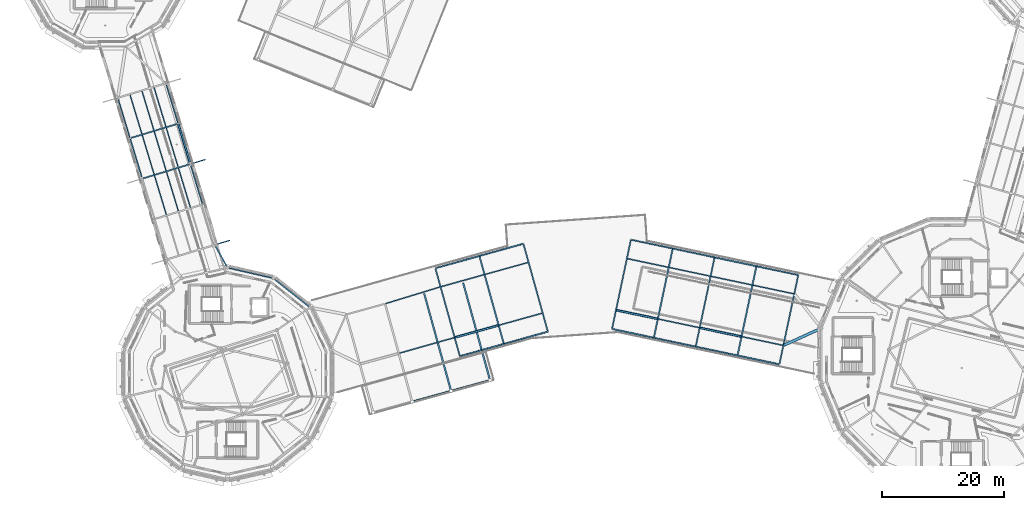
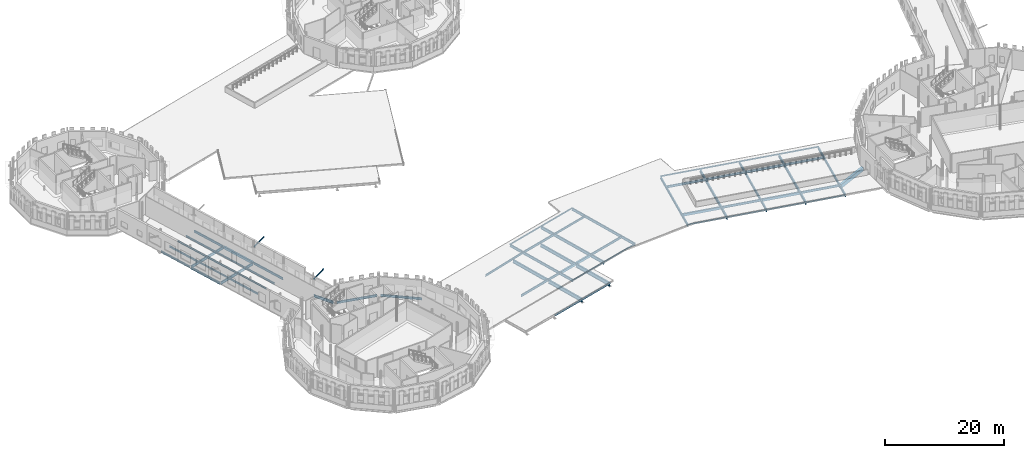
# One storey, part 25 of 90: 60 beams, 2 members.
"""IFC4 building model written with IfcOpenShell, lengths in metres."""

from ifc_helpers import new_model, si_unit, direction, frame, origin, origin_2d, place, context, subcontext, project, spatial, rectangle, hollow_rectangle, i_section, extrude, material, material_profile, profile_set, type_object, element, save


model = new_model("IFC4")

# Units and contexts
model_context = context("Model", 3, precision=1e-05, world=origin(), true_north=direction((0.0, 1.0)))
body_context = subcontext(model_context, "Body", "Model", "MODEL_VIEW")
ifc_project = project(units=[si_unit("LENGTHUNIT", "METRE"), si_unit("AREAUNIT", "SQUARE_METRE"), si_unit("VOLUMEUNIT", "CUBIC_METRE"), si_unit("PLANEANGLEUNIT", "RADIAN"), si_unit("MASSUNIT", "GRAM", prefix="KILO")], contexts=[model_context])

# Site, building, storey
site_placement = place(None, origin())
site = spatial("IfcSite", under=ifc_project, at=site_placement, CompositionType="ELEMENT")
building_placement = place(site_placement, origin())
building = spatial("IfcBuilding", under=site, at=building_placement, Name="Wrenclough Park School", CompositionType="ELEMENT")
storey_placement = place(building_placement, frame((0.0, 0.0, 8.39990234375)))
storey = spatial("IfcBuildingStorey", under=building, at=storey_placement, Name="L02", CompositionType="ELEMENT", Elevation=8.39990234375)

# Beams
ifc_material_1 = material(Name="Concrete C32/40", Category="concrete")
ifc_material_profile_1 = material_profile(ifc_material_1, rectangle(XDim=0.300048828125, YDim=0.5, at=origin_2d()), Name="RC BEAM 300x500")
ifc_profile_set_1 = profile_set([ifc_material_profile_1], Name="Concrete C32/40")
beam_type_1 = type_object("IfcBeamType", Name="STR-BM-RC300", PredefinedType="BEAM", material=ifc_profile_set_1)
beam_1_placement = place(storey_placement, frame((73.68701171875, 29.384521484375, -0.474853515625), z_axis=(0.963409423215, 0.268034108389, 0.0), x_axis=(-0.268034108389, 0.963409423215, 0.0)))
element("IfcBeam", 1, at=beam_1_placement, inside=storey, type_object=beam_type_1, Name="W12 L02 longitudinal edge beam R3", PredefinedType="BEAM", context=body_context, shape_type="SweptSolid", body=[
    extrude(rectangle(XDim=0.300048828125, YDim=0.5, at=origin_2d()), origin(), (0.0, 0.0, 1.0), 7.259521484375),
])
beam_2_placement = place(storey_placement, frame((100.04248046875, 33.82763671875, -0.474853515625), z_axis=(0.978380664714, -0.206812173029, 0.0), x_axis=(0.206812173029, 0.978380664714, 0.0)))
element("IfcBeam", 2, at=beam_2_placement, inside=storey, type_object=beam_type_1, Name="W12 L02 longitudinal edge beam R1", PredefinedType="BEAM", context=body_context, shape_type="SweptSolid", body=[
    extrude(rectangle(XDim=0.300048828125, YDim=0.5, at=origin_2d()), origin(), (0.0, 0.0, 1.0), 6.783203125),
])
beam_3_placement = place(storey_placement, frame((113.708984375, 30.938720703125, -0.474853515625), z_axis=(0.978382204073, -0.206804890546, 0.0), x_axis=(0.206804890546, 0.978382204073, 0.0)))
element("IfcBeam", 3, at=beam_3_placement, inside=storey, type_object=beam_type_1, Name="W12 L02 longitudinal edge beam R3", PredefinedType="BEAM", context=body_context, shape_type="SweptSolid", body=[
    extrude(rectangle(XDim=0.300048828125, YDim=0.5, at=origin_2d()), origin(), (0.0, 0.0, 1.0), 6.783447265625),
])
beam_4_placement = place(storey_placement, frame((30.39453125, 57.785400390625, -0.489990234375), z_axis=(-0.290016504178, 0.957021644115, 0.0), x_axis=(-0.957021644115, -0.290016504178, 0.0)))
element("IfcBeam", 4, at=beam_4_placement, inside=storey, type_object=beam_type_1, Name="W23 L02 longitudinal edge beam R3", PredefinedType="BEAM", context=body_context, shape_type="SweptSolid", body=[
    extrude(rectangle(XDim=0.300048828125, YDim=0.5, at=origin_2d()), origin(), (0.0, 0.0, 1.0), 6.695068359375),
])
ifc_material_2 = material(Name="Concrete C40/50", Category="concrete")
ifc_material_profile_2 = material_profile(ifc_material_2, rectangle(XDim=0.449951171875, YDim=0.800048828125, at=origin_2d()), Name="RC BEAM 450x800")
ifc_profile_set_2 = profile_set([ifc_material_profile_2], Name="Concrete C40/50")
beam_type_2 = type_object("IfcBeamType", Name="STR-BM-RC450", PredefinedType="BEAM", material=ifc_profile_set_2)
beam_5_placement = place(storey_placement, frame((127.369140625, 28.1123046875, -0.724853515625), z_axis=(0.910972239758, 0.41246766951, 0.0), x_axis=(-0.41246766951, 0.910972239758, 0.0)))
element("IfcBeam", 5, at=beam_5_placement, inside=storey, type_object=beam_type_2, Name="W12 L02 drum junction tie beam 8", PredefinedType="BEAM", context=body_context, shape_type="SweptSolid", body=[
    extrude(rectangle(XDim=0.449951171875, YDim=0.800048828125, at=origin_2d()), origin(), (0.0, 0.0, 1.0), 6.421630859375),
])
ifc_material_3 = material(Name="Structural steel S355", Category="steel")
ifc_material_profile_3 = material_profile(ifc_material_3, hollow_rectangle(XDim=0.14990234375, YDim=0.25, WallThickness=0.010009765625, InnerFilletRadius=0.010009765625, OuterFilletRadius=0.014892578125, at=origin_2d()), Name="RHS 250x150x10.0")
ifc_profile_set_3 = profile_set([ifc_material_profile_3], Name="Structural steel S355")
beam_type_3 = type_object("IfcBeamType", Name="STR-BM-RHS250", PredefinedType="SPANDREL", material=ifc_profile_set_3)
for number, where, z_axis, x_axis, name in (
    (6, (70.4404296875, 40.67724609375, -0.35498046875), (0.963397793095, 0.268075907644, 0.0), (-0.268075907644, 0.963397793095, 0.0), "W12 overhanging eave fascia beam L1"),
    (7, (77.6279296875, 42.67724609375, -0.35498046875), (0.963397793095, 0.268075907644, 0.0), (-0.268075907644, 0.963397793095, 0.0), "W12 overhanging eave fascia beam L2"),
    (8, (74.4345703125, 26.32275390625, -0.35498046875), (0.963397793095, 0.268075907644, 0.0), (-0.268075907644, 0.963397793095, 0.0), "W12 overhanging eave fascia beam R1"),
    (9, (81.6220703125, 28.32275390625, -0.35498046875), (0.963397793095, 0.268075907644, 0.0), (-0.268075907644, 0.963397793095, 0.0), "W12 overhanging eave fascia beam R2"),
):
    element("IfcBeam", number, at=place(storey_placement, frame(where, z_axis=z_axis, x_axis=x_axis)), inside=storey, type_object=beam_type_3, Name=name, PredefinedType="SPANDREL", context=body_context, shape_type="SweptSolid", body=[
        extrude(hollow_rectangle(XDim=0.14990234375, YDim=0.25, WallThickness=0.010009765625, InnerFilletRadius=0.010009765625, OuterFilletRadius=0.014892578125, at=origin_2d()), origin(), (0.0, 0.0, 1.0), 7.460693359375),
    ])
beam_6_placement = place(storey_placement, frame((102.3740234375, 45.344482421875, -0.35498046875), z_axis=(0.978377732017, -0.206826046457, 0.0), x_axis=(0.206826046457, 0.978377732017, 0.0)))
element("IfcBeam", 10, at=beam_6_placement, inside=storey, type_object=beam_type_3, Name="W12 overhanging eave fascia beam L1", PredefinedType="SPANDREL", context=body_context, shape_type="SweptSolid", body=[
    extrude(hollow_rectangle(XDim=0.14990234375, YDim=0.25, WallThickness=0.010009765625, InnerFilletRadius=0.010009765625, OuterFilletRadius=0.014892578125, at=origin_2d()), origin(), (0.0, 0.0, 1.0), 6.984619140625),
])
for number, where, z_axis, x_axis, name in (
    (11, (109.20751953125, 43.89990234375, -0.35498046875), (0.978383309833, -0.206799659187, 0.0), (0.206799659187, 0.978383309833, 0.0), "W12 overhanging eave fascia beam L2"),
    (12, (116.040771484375, 42.45556640625, -0.35498046875), (0.978383309833, -0.206799659187, 0.0), (0.206799659187, 0.978383309833, 0.0), "W12 overhanging eave fascia beam L3"),
):
    element("IfcBeam", number, at=place(storey_placement, frame(where, z_axis=z_axis, x_axis=x_axis)), inside=storey, type_object=beam_type_3, Name=name, PredefinedType="SPANDREL", context=body_context, shape_type="SweptSolid", body=[
        extrude(hollow_rectangle(XDim=0.14990234375, YDim=0.25, WallThickness=0.010009765625, InnerFilletRadius=0.010009765625, OuterFilletRadius=0.014892578125, at=origin_2d()), origin(), (0.0, 0.0, 1.0), 6.984130859375),
    ])
beam_7_placement = place(storey_placement, frame((122.8740234375, 41.01123046875, -0.35498046875), z_axis=(0.978377732017, -0.206826046457, 0.0), x_axis=(0.206826046457, 0.978377732017, 0.0)))
element("IfcBeam", 13, at=beam_7_placement, inside=storey, type_object=beam_type_3, Name="W12 overhanging eave fascia beam L4", PredefinedType="SPANDREL", context=body_context, shape_type="SweptSolid", body=[
    extrude(hollow_rectangle(XDim=0.14990234375, YDim=0.25, WallThickness=0.010009765625, InnerFilletRadius=0.010009765625, OuterFilletRadius=0.014892578125, at=origin_2d()), origin(), (0.0, 0.0, 1.0), 6.984619140625),
])
for number, where, z_axis, x_axis, name in (
    (14, (99.29248046875, 30.7666015625, -0.35498046875), (0.978384804688, -0.2067925868, 0.0), (0.2067925868, 0.978384804688, 0.0), "W12 overhanging eave fascia beam R1"),
    (15, (106.1259765625, 29.322265625, -0.35498046875), (0.978376236689, -0.206833119886, 0.0), (0.206833119886, 0.978376236689, 0.0), "W12 overhanging eave fascia beam R2"),
):
    element("IfcBeam", number, at=place(storey_placement, frame(where, z_axis=z_axis, x_axis=x_axis)), inside=storey, type_object=beam_type_3, Name=name, PredefinedType="SPANDREL", context=body_context, shape_type="SweptSolid", body=[
        extrude(hollow_rectangle(XDim=0.14990234375, YDim=0.25, WallThickness=0.010009765625, InnerFilletRadius=0.010009765625, OuterFilletRadius=0.014892578125, at=origin_2d()), origin(), (0.0, 0.0, 1.0), 6.984375),
    ])
beam_8_placement = place(storey_placement, frame((112.959228515625, 27.877685546875, -0.35498046875), z_axis=(0.978383309833, -0.206799659187, 0.0), x_axis=(0.206799659187, 0.978383309833, 0.0)))
element("IfcBeam", 16, at=beam_8_placement, inside=storey, type_object=beam_type_3, Name="W12 overhanging eave fascia beam R3", PredefinedType="SPANDREL", context=body_context, shape_type="SweptSolid", body=[
    extrude(hollow_rectangle(XDim=0.14990234375, YDim=0.25, WallThickness=0.010009765625, InnerFilletRadius=0.010009765625, OuterFilletRadius=0.014892578125, at=origin_2d()), origin(), (0.0, 0.0, 1.0), 6.984130859375),
])
beam_9_placement = place(storey_placement, frame((119.79248046875, 26.433349609375, -0.35498046875), z_axis=(0.978377732017, -0.206826046457, 0.0), x_axis=(0.206826046457, 0.978377732017, 0.0)))
element("IfcBeam", 17, at=beam_9_placement, inside=storey, type_object=beam_type_3, Name="W12 overhanging eave fascia beam R4", PredefinedType="SPANDREL", context=body_context, shape_type="SweptSolid", body=[
    extrude(hollow_rectangle(XDim=0.14990234375, YDim=0.25, WallThickness=0.010009765625, InnerFilletRadius=0.010009765625, OuterFilletRadius=0.014892578125, at=origin_2d()), origin(), (0.0, 0.0, 1.0), 6.984619140625),
])
ifc_material_profile_4 = material_profile(ifc_material_3, hollow_rectangle(XDim=0.199951171875, YDim=0.300048828125, WallThickness=0.012451171875, InnerFilletRadius=0.012451171875, OuterFilletRadius=0.018798828125, at=origin_2d()), Name="RHS 300x200x12.5")
ifc_profile_set_4 = profile_set([ifc_material_profile_4], Name="Structural steel S355")
beam_type_4 = type_object("IfcBeamType", Name="STR-BM-RHS300", PredefinedType="SPANDREL", material=ifc_profile_set_4)
beam_10_placement = place(storey_placement, frame((66.629150390625, 18.920654296875, -0.375), z_axis=(0.964001773573, 0.265895807692, 0.0), x_axis=(-0.265895807692, 0.964001773573, 0.0)))
element("IfcBeam", 18, at=beam_10_placement, inside=storey, type_object=beam_type_4, Name="EAVE-ENTRANCE overhanging eave tip fascia beam 2", PredefinedType="SPANDREL", context=body_context, shape_type="SweptSolid", body=[
    extrude(hollow_rectangle(XDim=0.199951171875, YDim=0.300048828125, WallThickness=0.012451171875, InnerFilletRadius=0.012451171875, OuterFilletRadius=0.018798828125, at=origin_2d()), origin(), (0.0, 0.0, 1.0), 6.599853515625),
])
beam_11_placement = place(storey_placement, frame((72.991455078125, 20.675537109375, -0.375), z_axis=(0.964004388763, 0.265886326174, 0.0), x_axis=(-0.265886326174, 0.964004388763, 0.0)))
element("IfcBeam", 19, at=beam_11_placement, inside=storey, type_object=beam_type_4, Name="EAVE-ENTRANCE overhanging eave tip fascia beam 3", PredefinedType="SPANDREL", context=body_context, shape_type="SweptSolid", body=[
    extrude(hollow_rectangle(XDim=0.199951171875, YDim=0.300048828125, WallThickness=0.012451171875, InnerFilletRadius=0.012451171875, OuterFilletRadius=0.018798828125, at=origin_2d()), origin(), (0.0, 0.0, 1.0), 6.60009765625),
])
ifc_material_profile_5 = material_profile(ifc_material_3, i_section(OverallWidth=0.1650390625, OverallDepth=0.303466796875, WebThickness=0.006103515625, FlangeThickness=0.01025390625, FilletRadius=0.0087890625, at=origin_2d()), Name="UKB 305x165x40")
ifc_profile_set_5 = profile_set([ifc_material_profile_5], Name="Structural steel S355")
beam_type_5 = type_object("IfcBeamType", Name="STR-BM-UKB305", PredefinedType="JOIST", material=ifc_profile_set_5)
for number, where, z_axis, x_axis, name in (
    (20, (28.4697265625, 50.000244140625, -0.3916015625), (-0.290029687664, 0.957017648883, 0.0), (-0.957017648883, -0.290029687664, 0.0), "W23 L02 secondary floor joist 0041"),
    (21, (24.5078125, 56.005615234375, -0.3916015625), (-0.290029687664, 0.957017648883, 0.0), (-0.957017648883, -0.290029687664, 0.0), "W23 L02 secondary floor joist 0043"),
    (22, (28.431640625, 57.194580078125, -0.3916015625), (-0.290029687664, 0.957017648883, 0.0), (-0.957017648883, -0.290029687664, 0.0), "W23 L02 secondary floor joist 0045"),
    (23, (24.4697265625, 63.2001953125, -0.3916015625), (-0.290029687664, 0.957017648883, 0.0), (-0.957017648883, -0.290029687664, 0.0), "W23 L02 secondary floor joist 0047"),
):
    element("IfcBeam", number, at=place(storey_placement, frame(where, z_axis=z_axis, x_axis=x_axis)), inside=storey, type_object=beam_type_5, Name=name, PredefinedType="JOIST", context=body_context, shape_type="SweptSolid", body=[
        extrude(i_section(OverallWidth=0.1650390625, OverallDepth=0.303466796875, WebThickness=0.006103515625, FlangeThickness=0.01025390625, FilletRadius=0.0087890625, at=origin_2d()), origin(), (0.0, 0.0, 1.0), 6.68701171875),
    ])
ifc_material_profile_6 = material_profile(ifc_material_3, i_section(OverallWidth=0.17138671875, OverallDepth=0.35498046875, WebThickness=0.00732421875, FlangeThickness=0.011474609375, FilletRadius=0.01025390625, at=origin_2d()), Name="UKB 356x171x51")
ifc_profile_set_6 = profile_set([ifc_material_profile_6], Name="Structural steel S355")
beam_type_6 = type_object("IfcBeamType", Name="STR-BM-UKB356", PredefinedType="JOIST", material=ifc_profile_set_6)
for number, where, z_axis, x_axis, name in (
    (24, (26.5078125, 49.40576171875, -0.41748046875), (-0.290029687664, 0.957017648883, 0.0), (-0.957017648883, -0.290029687664, 0.0), "W23 L02 secondary floor joist 0040"),
    (25, (30.431640625, 50.5947265625, -0.41748046875), (-0.290029687664, 0.957017648883, 0.0), (-0.957017648883, -0.290029687664, 0.0), "W23 L02 secondary floor joist 0042"),
    (26, (26.4697265625, 56.60009765625, -0.41748046875), (-0.290029687664, 0.957017648883, 0.0), (-0.957017648883, -0.290029687664, 0.0), "W23 L02 secondary floor joist 0044"),
    (27, (22.5078125, 62.605712890625, -0.41748046875), (-0.290029687664, 0.957017648883, 0.0), (-0.957017648883, -0.290029687664, 0.0), "W23 L02 secondary floor joist 0046"),
    (28, (26.431640625, 63.794677734375, -0.41748046875), (-0.290029687664, 0.957017648883, 0.0), (-0.957017648883, -0.290029687664, 0.0), "W23 L02 secondary floor joist 0048"),
):
    element("IfcBeam", number, at=place(storey_placement, frame(where, z_axis=z_axis, x_axis=x_axis)), inside=storey, type_object=beam_type_6, Name=name, PredefinedType="JOIST", context=body_context, shape_type="SweptSolid", body=[
        extrude(i_section(OverallWidth=0.17138671875, OverallDepth=0.35498046875, WebThickness=0.00732421875, FlangeThickness=0.011474609375, FilletRadius=0.01025390625, at=origin_2d()), origin(), (0.0, 0.0, 1.0), 6.68701171875),
    ])
ifc_material_profile_7 = material_profile(ifc_material_3, i_section(OverallWidth=0.177978515625, OverallDepth=0.406494140625, WebThickness=0.0078125, FlangeThickness=0.0126953125, FilletRadius=0.01025390625, at=origin_2d()), Name="UKB 406x178x60")
ifc_profile_set_7 = profile_set([ifc_material_profile_7], Name="Structural steel S355")
beam_type_7 = type_object("IfcBeamType", Name="STR-BM-UKB406", PredefinedType="BEAM", material=ifc_profile_set_7)
beam_12_placement = place(storey_placement, frame((62.32470703125, 34.904296875, -0.42822265625), z_axis=(0.956335415972, 0.292271401538, 0.0), x_axis=(-0.292271401538, 0.956335415972, 0.0)))
element("IfcBeam", 29, at=beam_12_placement, inside=storey, type_object=beam_type_7, Name="W12 L02 longitudinal edge beam L2", PredefinedType="BEAM", context=body_context, shape_type="SweptSolid", body=[
    extrude(i_section(OverallWidth=0.177978515625, OverallDepth=0.406494140625, WebThickness=0.0078125, FlangeThickness=0.0126953125, FilletRadius=0.01025390625, at=origin_2d()), origin(), (0.0, 0.0, 1.0), 9.268798828125),
])
beam_13_placement = place(storey_placement, frame((78.569091796875, 39.669677734375, -0.42822265625), z_axis=(0.963409423215, 0.268034108389, 0.0), x_axis=(-0.268034108389, 0.963409423215, 0.0)))
element("IfcBeam", 30, at=beam_13_placement, inside=storey, type_object=beam_type_7, Name="W12 L02 longitudinal edge beam L4", PredefinedType="BEAM", context=body_context, shape_type="SweptSolid", body=[
    extrude(i_section(OverallWidth=0.177978515625, OverallDepth=0.406494140625, WebThickness=0.0078125, FlangeThickness=0.0126953125, FilletRadius=0.01025390625, at=origin_2d()), origin(), (0.0, 0.0, 1.0), 7.259521484375),
])
beam_14_placement = place(storey_placement, frame((108.654296875, 40.79736328125, -0.42822265625), z_axis=(0.978382204073, -0.206804890546, 0.0), x_axis=(0.206804890546, 0.978382204073, 0.0)))
element("IfcBeam", 31, at=beam_14_placement, inside=storey, type_object=beam_type_7, Name="W12 L02 longitudinal edge beam L2", PredefinedType="BEAM", context=body_context, shape_type="SweptSolid", body=[
    extrude(i_section(OverallWidth=0.177978515625, OverallDepth=0.406494140625, WebThickness=0.0078125, FlangeThickness=0.0126953125, FilletRadius=0.01025390625, at=origin_2d()), origin(), (0.0, 0.0, 1.0), 6.783447265625),
])
beam_15_placement = place(storey_placement, frame((122.321044921875, 37.908447265625, -0.42822265625), z_axis=(0.978380664714, -0.206812173029, 0.0), x_axis=(0.206812173029, 0.978380664714, 0.0)))
element("IfcBeam", 32, at=beam_15_placement, inside=storey, type_object=beam_type_7, Name="W12 L02 longitudinal edge beam L4", PredefinedType="BEAM", context=body_context, shape_type="SweptSolid", body=[
    extrude(i_section(OverallWidth=0.177978515625, OverallDepth=0.406494140625, WebThickness=0.0078125, FlangeThickness=0.0126953125, FilletRadius=0.01025390625, at=origin_2d()), origin(), (0.0, 0.0, 1.0), 6.783203125),
])
beam_16_placement = place(storey_placement, frame((20.547119140625, 62.00732421875, -0.443115234375), z_axis=(-0.290006383217, 0.957024711119, 0.0), x_axis=(-0.957024711119, -0.290006383217, 0.0)))
element("IfcBeam", 33, at=beam_16_placement, inside=storey, type_object=beam_type_7, Name="W23 L02 longitudinal edge beam L4", PredefinedType="BEAM", context=body_context, shape_type="SweptSolid", body=[
    extrude(i_section(OverallWidth=0.177978515625, OverallDepth=0.406494140625, WebThickness=0.0078125, FlangeThickness=0.0126953125, FilletRadius=0.01025390625, at=origin_2d()), origin(), (0.0, 0.0, 1.0), 6.6953125),
])
ifc_material_profile_8 = material_profile(ifc_material_3, i_section(OverallWidth=0.18994140625, OverallDepth=0.453369140625, WebThickness=0.008544921875, FlangeThickness=0.0126953125, FilletRadius=0.01025390625, at=origin_2d()), Name="UKB 457x191x67")
ifc_profile_set_8 = profile_set([ifc_material_profile_8], Name="Structural steel S355")
beam_type_8 = type_object("IfcBeamType", Name="STR-BM-UKB457A", PredefinedType="BEAM", material=ifc_profile_set_8)
beam_17_placement = place(storey_placement, frame((64.607421875, 26.818359375, -0.45166015625), z_axis=(0.96229631561, 0.272003310575, 0.0), x_axis=(-0.272003310575, 0.96229631561, 0.0)))
element("IfcBeam", 34, at=beam_17_placement, inside=storey, type_object=beam_type_8, Name="W12 L02 longitudinal edge beam R2", PredefinedType="BEAM", context=body_context, shape_type="SweptSolid", body=[
    extrude(i_section(OverallWidth=0.18994140625, OverallDepth=0.453369140625, WebThickness=0.008544921875, FlangeThickness=0.0126953125, FilletRadius=0.01025390625, at=origin_2d()), origin(), (0.0, 0.0, 1.0), 9.234130859375),
])
for number, where, z_axis, x_axis, name in (
    (35, (71.381591796875, 37.669677734375, -0.45166015625), (0.963409423215, 0.268034108389, 0.0), (-0.268034108389, 0.963409423215, 0.0), "W12 L02 longitudinal edge beam L3"),
    (36, (80.87451171875, 31.384521484375, -0.45166015625), (0.963409423215, 0.268034108389, 0.0), (-0.268034108389, 0.963409423215, 0.0), "W12 L02 longitudinal edge beam R4"),
):
    element("IfcBeam", number, at=place(storey_placement, frame(where, z_axis=z_axis, x_axis=x_axis)), inside=storey, type_object=beam_type_8, Name=name, PredefinedType="BEAM", context=body_context, shape_type="SweptSolid", body=[
        extrude(i_section(OverallWidth=0.18994140625, OverallDepth=0.453369140625, WebThickness=0.008544921875, FlangeThickness=0.0126953125, FilletRadius=0.01025390625, at=origin_2d()), origin(), (0.0, 0.0, 1.0), 7.259521484375),
    ])
for number, where, z_axis, x_axis, name in (
    (37, (101.821044921875, 42.24169921875, -0.45166015625), (0.978380664714, -0.206812173029, 0.0), (0.206812173029, 0.978380664714, 0.0), "W12 L02 longitudinal edge beam L1"),
    (38, (106.875732421875, 32.38330078125, -0.45166015625), (0.978380664714, -0.206812173029, 0.0), (0.206812173029, 0.978380664714, 0.0), "W12 L02 longitudinal edge beam R2"),
):
    element("IfcBeam", number, at=place(storey_placement, frame(where, z_axis=z_axis, x_axis=x_axis)), inside=storey, type_object=beam_type_8, Name=name, PredefinedType="BEAM", context=body_context, shape_type="SweptSolid", body=[
        extrude(i_section(OverallWidth=0.18994140625, OverallDepth=0.453369140625, WebThickness=0.008544921875, FlangeThickness=0.0126953125, FilletRadius=0.01025390625, at=origin_2d()), origin(), (0.0, 0.0, 1.0), 6.783203125),
    ])
beam_18_placement = place(storey_placement, frame((115.48779296875, 39.352783203125, -0.45166015625), z_axis=(0.978387946896, -0.206777719711, 0.0), x_axis=(0.206777719711, 0.978387946896, 0.0)))
element("IfcBeam", 39, at=beam_18_placement, inside=storey, type_object=beam_type_8, Name="W12 L02 longitudinal edge beam L3", PredefinedType="BEAM", context=body_context, shape_type="SweptSolid", body=[
    extrude(i_section(OverallWidth=0.18994140625, OverallDepth=0.453369140625, WebThickness=0.008544921875, FlangeThickness=0.0126953125, FilletRadius=0.01025390625, at=origin_2d()), origin(), (0.0, 0.0, 1.0), 6.782958984375),
])
beam_19_placement = place(storey_placement, frame((120.54248046875, 29.494384765625, -0.45166015625), z_axis=(0.978380664714, -0.206812173029, 0.0), x_axis=(0.206812173029, 0.978380664714, 0.0)))
element("IfcBeam", 40, at=beam_19_placement, inside=storey, type_object=beam_type_8, Name="W12 L02 longitudinal edge beam R4", PredefinedType="BEAM", context=body_context, shape_type="SweptSolid", body=[
    extrude(i_section(OverallWidth=0.18994140625, OverallDepth=0.453369140625, WebThickness=0.008544921875, FlangeThickness=0.0126953125, FilletRadius=0.01025390625, at=origin_2d()), origin(), (0.0, 0.0, 1.0), 6.783203125),
])
for number, where, z_axis, x_axis, name in (
    (41, (32.39453125, 51.185302734375, -0.466552734375), (-0.290006383217, 0.957024711119, 0.0), (-0.957024711119, -0.290006383217, 0.0), "W23 L02 longitudinal edge beam R2"),
    (42, (22.547119140625, 55.4072265625, -0.466552734375), (-0.290006383217, 0.957024711119, 0.0), (-0.957024711119, -0.290006383217, 0.0), "W23 L02 longitudinal edge beam L3"),
    (43, (28.39453125, 64.38525390625, -0.466552734375), (-0.290006383217, 0.957024711119, 0.0), (-0.957024711119, -0.290006383217, 0.0), "W23 L02 longitudinal edge beam R4"),
):
    element("IfcBeam", number, at=place(storey_placement, frame(where, z_axis=z_axis, x_axis=x_axis)), inside=storey, type_object=beam_type_8, Name=name, PredefinedType="BEAM", context=body_context, shape_type="SweptSolid", body=[
        extrude(i_section(OverallWidth=0.18994140625, OverallDepth=0.453369140625, WebThickness=0.008544921875, FlangeThickness=0.0126953125, FilletRadius=0.01025390625, at=origin_2d()), origin(), (0.0, 0.0, 1.0), 6.6953125),
    ])
ifc_material_profile_9 = material_profile(ifc_material_3, i_section(OverallWidth=0.19140625, OverallDepth=0.4599609375, WebThickness=0.010009765625, FlangeThickness=0.01611328125, FilletRadius=0.01025390625, at=origin_2d()), Name="UKB 457x191x82")
ifc_profile_set_9 = profile_set([ifc_material_profile_9], Name="Structural steel S355")
beam_type_9 = type_object("IfcBeamType", Name="STR-BM-UKB457B", PredefinedType="SPANDREL", material=ifc_profile_set_9)
for number, where, z_axis, x_axis, name in (
    (44, (49.761474609375, 34.434814453125, -0.510009765625), (-0.781840614213, 0.623478350841, 0.0), (-0.623478350841, -0.781840614213, 0.0), "D2 L02 outer ring spandrel beam 2"),
    (45, (43.70361328125, 39.105712890625, -0.510009765625), (-0.974928448916, 0.222518582359, 0.0), (-0.222518582359, -0.974928448916, 0.0), "D2 L02 outer ring spandrel beam 3"),
):
    element("IfcBeam", number, at=place(storey_placement, frame(where, z_axis=z_axis, x_axis=x_axis)), inside=storey, type_object=beam_type_9, Name=name, PredefinedType="SPANDREL", context=body_context, shape_type="SweptSolid", body=[
        extrude(i_section(OverallWidth=0.19140625, OverallDepth=0.4599609375, WebThickness=0.010009765625, FlangeThickness=0.01611328125, FilletRadius=0.01025390625, at=origin_2d()), origin(), (0.0, 0.0, 1.0), 7.100830078125),
    ])
ifc_material_profile_10 = material_profile(ifc_material_3, i_section(OverallWidth=0.209228515625, OverallDepth=0.533203125, WebThickness=0.010009765625, FlangeThickness=0.015625, FilletRadius=0.0126953125, at=origin_2d()), Name="UKB 533x210x92")
ifc_profile_set_10 = profile_set([ifc_material_profile_10], Name="Structural steel S355")
beam_type_10 = type_object("IfcBeamType", Name="STR-BM-UKB533A", PredefinedType="BEAM", material=ifc_profile_set_10)
for number, where, z_axis, x_axis, name in (
    (46, (74.4345703125, 26.32275390625, -0.496337890625), (-0.268066386139, 0.963400442507, 0.0), (-0.963400442507, -0.268066386139, 0.0), "W12 continuous overhanging eave roof girder 1.3"),
    (47, (88.8095703125, 30.32275390625, -0.496337890625), (-0.268066386139, 0.963400442507, 0.0), (-0.963400442507, -0.268066386139, 0.0), "W12 continuous overhanging eave roof girder 1.5"),
    (48, (99.29248046875, 30.7666015625, -0.496337890625), (0.206814723344, 0.97838012562, 0.0), (-0.97838012562, 0.206814723344, 0.0), "W12 continuous overhanging eave roof girder 2.1"),
    (49, (112.959228515625, 27.877685546875, -0.496337890625), (0.206814723344, 0.97838012562, 0.0), (-0.97838012562, 0.206814723344, 0.0), "W12 continuous overhanging eave roof girder 2.3"),
    (50, (126.6259765625, 24.98876953125, -0.496337890625), (0.206814723344, 0.97838012562, 0.0), (-0.97838012562, 0.206814723344, 0.0), "W12 continuous overhanging eave roof girder 2.5"),
):
    element("IfcBeam", number, at=place(storey_placement, frame(where, z_axis=z_axis, x_axis=x_axis)), inside=storey, type_object=beam_type_10, Name=name, PredefinedType="BEAM", context=body_context, shape_type="SweptSolid", body=[
        extrude(i_section(OverallWidth=0.209228515625, OverallDepth=0.533203125, WebThickness=0.010009765625, FlangeThickness=0.015625, FilletRadius=0.0126953125, at=origin_2d()), origin(), (0.0, 0.0, 1.0), 14.89990234375),
    ])
for number, where, z_axis, x_axis, name in (
    (51, (22.672607421875, 55.340087890625, -0.50634765625), (0.957017729683, 0.290029421045, 0.0), (-0.290029421045, 0.957017729683, 0.0), "W23 L02 transverse floor beam 3"),
    (52, (20.672607421875, 61.940185546875, -0.50634765625), (0.957026201411, 0.290001465191, 0.0), (-0.290001465191, 0.957026201411, 0.0), "W23 L02 transverse floor beam 4"),
):
    element("IfcBeam", number, at=place(storey_placement, frame(where, z_axis=z_axis, x_axis=x_axis)), inside=storey, type_object=beam_type_10, Name=name, PredefinedType="BEAM", context=body_context, shape_type="SweptSolid", body=[
        extrude(i_section(OverallWidth=0.209228515625, OverallDepth=0.533203125, WebThickness=0.010009765625, FlangeThickness=0.015625, FilletRadius=0.0126953125, at=origin_2d()), origin(), (0.0, 0.0, 1.0), 7.99853515625),
    ])
beam_20_placement = place(storey_placement, frame((34.47265625, 44.40087890625, -0.54638671875), z_axis=(0.485450986823, -0.874263884301, 0.0), x_axis=(0.874263884301, 0.485450986823, 0.0)))
element("IfcBeam", 53, at=beam_20_placement, inside=storey, type_object=beam_type_10, Name="W23 L02 drum junction tie beam 13", PredefinedType="BEAM", context=body_context, shape_type="SweptSolid", body=[
    extrude(i_section(OverallWidth=0.209228515625, OverallDepth=0.533203125, WebThickness=0.010009765625, FlangeThickness=0.015625, FilletRadius=0.0126953125, at=origin_2d()), origin(), (0.0, 0.0, 1.0), 3.887939453125),
])
ifc_material_profile_11 = material_profile(ifc_material_3, i_section(OverallWidth=0.22900390625, OverallDepth=0.6123046875, WebThickness=0.011962890625, FlangeThickness=0.01953125, FilletRadius=0.0126953125, at=origin_2d()), Name="UKB 610x229x125")
ifc_profile_set_11 = profile_set([ifc_material_profile_11], Name="Structural steel S355")
beam_type_11 = type_object("IfcBeamType", Name="STR-BM-UKB610", PredefinedType="BEAM", material=ifc_profile_set_11)
beam_21_placement = place(storey_placement, frame((81.6220703125, 28.32275390625, -0.535888671875), z_axis=(-0.268066386139, 0.963400442507, 0.0), x_axis=(-0.963400442507, -0.268066386139, 0.0)))
element("IfcBeam", 54, at=beam_21_placement, inside=storey, type_object=beam_type_11, Name="W12 continuous overhanging eave roof girder 1.4", PredefinedType="BEAM", context=body_context, shape_type="SweptSolid", body=[
    extrude(i_section(OverallWidth=0.22900390625, OverallDepth=0.6123046875, WebThickness=0.011962890625, FlangeThickness=0.01953125, FilletRadius=0.0126953125, at=origin_2d()), origin(), (0.0, 0.0, 1.0), 14.89990234375),
])
beam_22_placement = place(storey_placement, frame((106.1259765625, 29.322265625, -0.535888671875), z_axis=(0.206818038845, 0.978379424768, 0.0), x_axis=(-0.978379424768, 0.206818038845, 0.0)))
element("IfcBeam", 55, at=beam_22_placement, inside=storey, type_object=beam_type_11, Name="W12 continuous overhanging eave roof girder 2.2", PredefinedType="BEAM", context=body_context, shape_type="SweptSolid", body=[
    extrude(i_section(OverallWidth=0.22900390625, OverallDepth=0.6123046875, WebThickness=0.011962890625, FlangeThickness=0.01953125, FilletRadius=0.0126953125, at=origin_2d()), origin(), (0.0, 0.0, 1.0), 14.899658203125),
])
beam_23_placement = place(storey_placement, frame((119.79248046875, 26.433349609375, -0.535888671875), z_axis=(0.206814723344, 0.97838012562, 0.0), x_axis=(-0.97838012562, 0.206814723344, 0.0)))
element("IfcBeam", 56, at=beam_23_placement, inside=storey, type_object=beam_type_11, Name="W12 continuous overhanging eave roof girder 2.4", PredefinedType="BEAM", context=body_context, shape_type="SweptSolid", body=[
    extrude(i_section(OverallWidth=0.22900390625, OverallDepth=0.6123046875, WebThickness=0.011962890625, FlangeThickness=0.01953125, FilletRadius=0.0126953125, at=origin_2d()), origin(), (0.0, 0.0, 1.0), 14.89990234375),
])
ifc_material_profile_12 = material_profile(ifc_material_3, i_section(OverallWidth=0.253662109375, OverallDepth=0.68359375, WebThickness=0.012451171875, FlangeThickness=0.01904296875, FilletRadius=0.01513671875, at=origin_2d()), Name="UKB 686x254x140")
ifc_profile_set_12 = profile_set([ifc_material_profile_12], Name="Structural steel S355")
beam_type_12 = type_object("IfcBeamType", Name="STR-BM-UKB686", PredefinedType="BEAM", material=ifc_profile_set_12)
for number, where, z_axis, x_axis, name in (
    (57, (68.617919921875, 36.532958984375, -0.566650390625), (0.265877152993, -0.964006918812, 0.0), (0.964006918812, 0.265877152993, 0.0), "EAVE-ENTRANCE interior back-span girder 3"),
    (58, (74.980224609375, 38.28759765625, -0.566650390625), (0.265912676251, -0.963997120643, 0.0), (0.963997120643, 0.265912676251, 0.0), "EAVE-ENTRANCE interior back-span girder 4"),
):
    element("IfcBeam", number, at=place(storey_placement, frame(where, z_axis=z_axis, x_axis=x_axis)), inside=storey, type_object=beam_type_12, Name=name, PredefinedType="BEAM", context=body_context, shape_type="SweptSolid", body=[
        extrude(i_section(OverallWidth=0.253662109375, OverallDepth=0.68359375, WebThickness=0.012451171875, FlangeThickness=0.01904296875, FilletRadius=0.01513671875, at=origin_2d()), origin(), (0.0, 0.0, 1.0), 8.1484375),
    ])
ifc_material_profile_13 = material_profile(ifc_material_3, i_section(OverallWidth=0.2666015625, OverallDepth=0.76220703125, WebThickness=0.014404296875, FlangeThickness=0.021484375, FilletRadius=0.0166015625, at=origin_2d()), Name="UKB 762x267x173")
ifc_profile_set_13 = profile_set([ifc_material_profile_13], Name="Structural steel S355")
beam_type_13 = type_object("IfcBeamType", Name="STR-BM-UKB762", PredefinedType="BEAM", material=ifc_profile_set_13)
for number, where, z_axis, x_axis, name in (
    (59, (70.862060546875, 28.395751953125, -0.60595703125), (0.265891876729, -0.964002857822, 0.0), (0.964002857822, 0.265891876729, 0.0), "EAVE-ENTRANCE 7.80 m overhanging eave girder 3"),
    (60, (77.224609375, 30.150634765625, -0.60595703125), (0.265891876729, -0.964002857822, 0.0), (0.964002857822, 0.265891876729, 0.0), "EAVE-ENTRANCE 7.80 m overhanging eave girder 4"),
):
    element("IfcBeam", number, at=place(storey_placement, frame(where, z_axis=z_axis, x_axis=x_axis)), inside=storey, type_object=beam_type_13, Name=name, PredefinedType="BEAM", context=body_context, shape_type="SweptSolid", body=[
        extrude(i_section(OverallWidth=0.2666015625, OverallDepth=0.76220703125, WebThickness=0.014404296875, FlangeThickness=0.021484375, FilletRadius=0.0166015625, at=origin_2d()), origin(), (0.0, 0.0, 1.0), 8.008544921875),
    ])

# Members
ifc_material_profile_14 = material_profile(ifc_material_3, hollow_rectangle(XDim=0.179931640625, YDim=0.179931640625, WallThickness=0.010009765625, InnerFilletRadius=0.010009765625, OuterFilletRadius=0.014892578125, at=origin_2d()), Name="SHS 180x180x10.0")
ifc_profile_set_14 = profile_set([ifc_material_profile_14], Name="Structural steel S355")
member_type = type_object("IfcMemberType", Name="STR-MEM-STRUT2", PredefinedType="STRUT", material=ifc_profile_set_14)
for number, where, z_axis, x_axis, name in (
    (61, (34.511474609375, 44.515625, 2.75), (0.898685603645, 0.272300712114, 0.343826275878), (-0.289979832763, 0.957032756279, 0.0), "W23 overhanging eave knee-brace strut 2"),
    (62, (30.511474609375, 57.715576171875, 2.75), (0.898685603645, 0.272300712114, 0.343826275878), (-0.289979832763, 0.957032756279, 0.0), "W23 overhanging eave knee-brace strut 4"),
):
    element("IfcMember", number, at=place(storey_placement, frame(where, z_axis=z_axis, x_axis=x_axis)), inside=storey, type_object=member_type, Name=name, PredefinedType="STRUT", context=body_context, shape_type="SweptSolid", body=[
        extrude(hollow_rectangle(XDim=0.179931640625, YDim=0.179931640625, WallThickness=0.010009765625, InnerFilletRadius=0.010009765625, OuterFilletRadius=0.014892578125, at=origin_2d()), origin(), (0.0, 0.0, 1.0), 2.617919921875),
    ])

save(model, "model.ifc")
